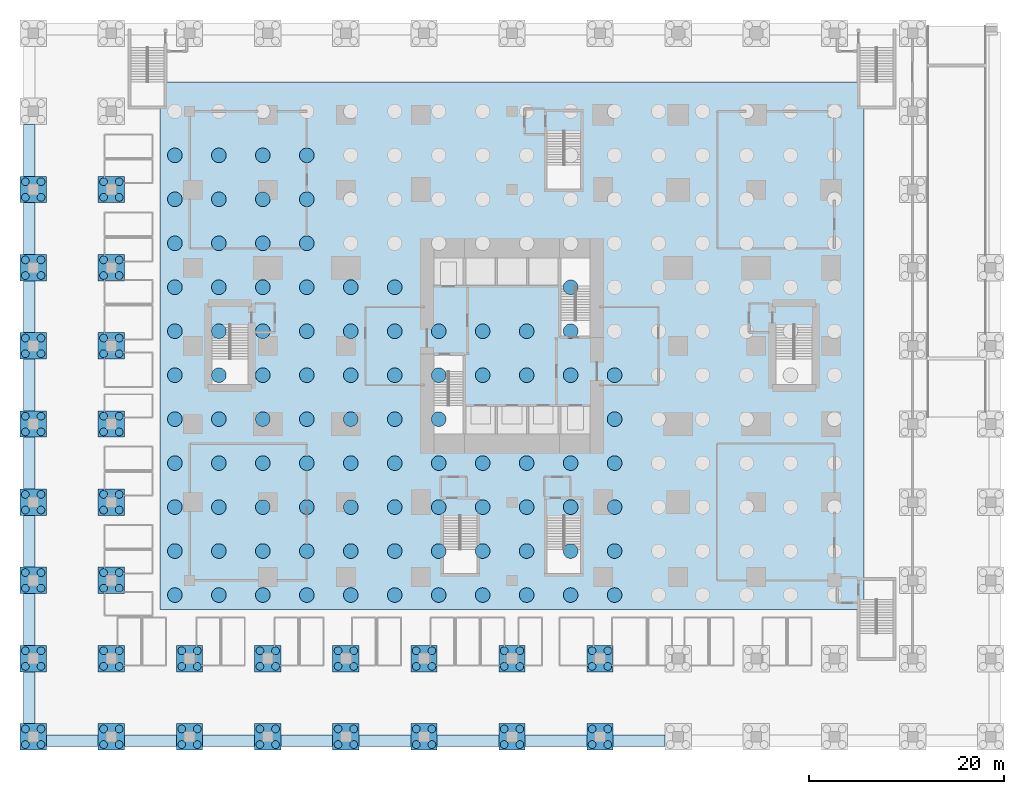
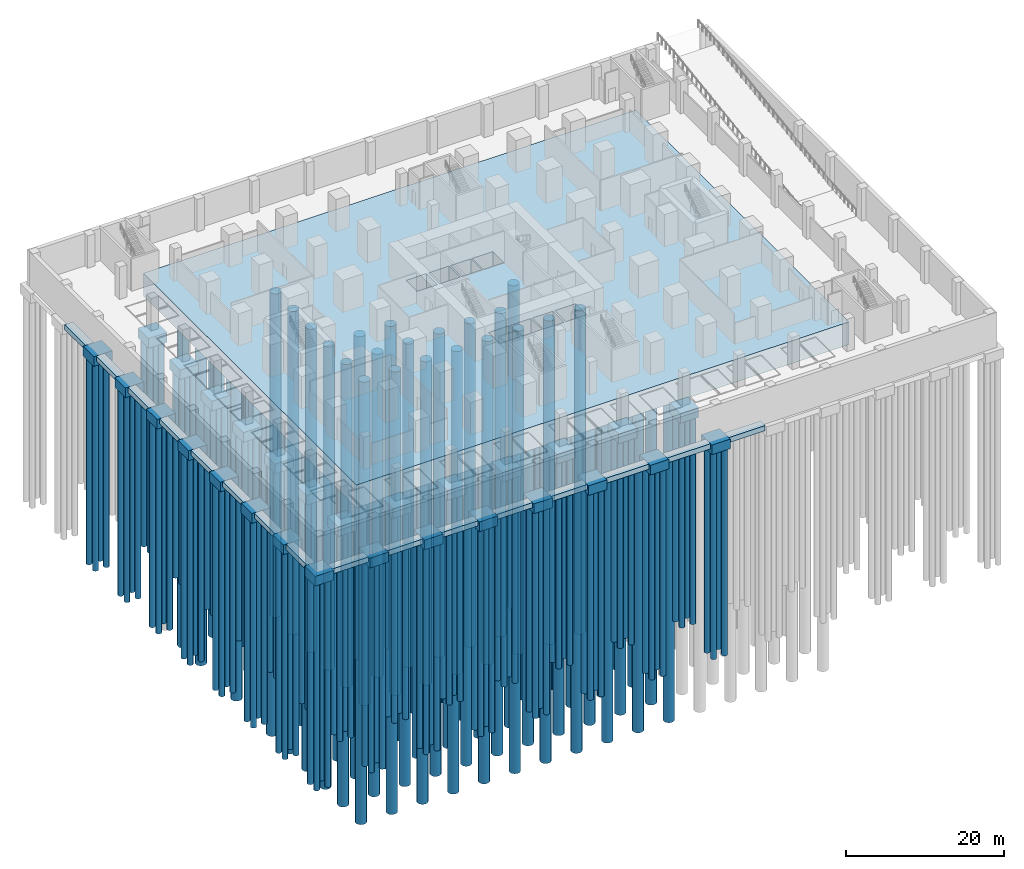
# One storey, part 1 of 17: 204 piles, 45 footings.
"""IFC4 building model written with IfcOpenShell, lengths in metres."""

import ifcopenshell
import ifcopenshell.guid

model = None  # the IFC model being written
_history = None  # IfcOwnerHistory: only IFC2X3 demands one
_inside = {}  # id of a spatial element -> (the spatial element, [elements in it])
_under = {}  # id of a project, library or spatial element -> (it, [spatial elements below it])
_declared = {}  # id of a project -> (the project, [libraries it declares])
_typed = {}  # id of a type object -> (the type object, [elements of that type])
_made_of = {}  # id of a material, layer set ... -> (it, [elements and type objects made of it])


def new_model(schema):
    """Start an empty IFC model of exactly this schema.

    Asked for "IFC4X3", IfcOpenShell would pick the latest addendum, in which some entities
    have other attributes; the version numbers below select the first issue.
    IFC2X3 requires an IfcOwnerHistory on every rooted entity: one is made here for all.
    """
    global model, _history
    if schema == "IFC4X3":
        model = ifcopenshell.file(schema_version=(4, 3, 0, 0))
    else:
        model = ifcopenshell.file(schema=schema)
    _inside.clear()
    _under.clear()
    _declared.clear()
    _typed.clear()
    _made_of.clear()
    _history = None
    if model.schema == "IFC2X3":
        org = make("IfcOrganization", Name="unknown")
        user = make(
            "IfcPersonAndOrganization",
            ThePerson=make("IfcPerson", FamilyName="unknown"),
            TheOrganization=org,
        )
        app = make(
            "IfcApplication",
            ApplicationDeveloper=org,
            Version="unknown",
            ApplicationFullName="unknown",
            ApplicationIdentifier="unknown",
        )
        _history = make(
            "IfcOwnerHistory",
            OwningUser=user,
            OwningApplication=app,
            ChangeAction="ADDED",
            CreationDate=0,
        )
    return model


def make(cls, **values):
    """One entity of the class cls with the attributes given. An attribute that is None is left unset."""
    return model.create_entity(
        cls, **{name: value for name, value in values.items() if value is not None}
    )


def rooted(cls, **values):
    """An entity with a GlobalId (a new one), such as an element, a storey or a relation."""
    return make(cls, GlobalId=ifcopenshell.guid.new(), OwnerHistory=_history, **values)


def si_unit(unit_type, name, prefix=None):
    """IfcSIUnit, for example si_unit("LENGTHUNIT", "METRE", prefix="MILLI")."""
    return make("IfcSIUnit", UnitType=unit_type, Prefix=prefix, Name=name)


def assignment(units):
    """IfcUnitAssignment: the units of a project."""
    return None if units is None else make("IfcUnitAssignment", Units=units)


def point(xyz):
    """IfcCartesianPoint."""
    return None if xyz is None else make("IfcCartesianPoint", Coordinates=xyz)


def direction(xyz):
    """IfcDirection."""
    return None if xyz is None else make("IfcDirection", DirectionRatios=xyz)


def frame(location, z_axis=None, x_axis=None):
    """IfcAxis2Placement3D, a coordinate frame: its origin and axes. An axis left out is left unset."""
    return make(
        "IfcAxis2Placement3D",
        Location=point(location),
        Axis=direction(z_axis),
        RefDirection=direction(x_axis),
    )


def frame_2d(location, x_axis=None):
    """IfcAxis2Placement2D, a coordinate frame in the plane: its origin and x axis."""
    return make(
        "IfcAxis2Placement2D", Location=point(location), RefDirection=direction(x_axis)
    )


def origin():
    """The frame at (0, 0, 0) with its axes left unset."""
    return frame((0.0, 0.0, 0.0))


def origin_2d():
    """The frame at (0, 0) in the plane with its x axis left unset."""
    return frame_2d((0.0, 0.0))


def place(relative_to, where):
    """IfcLocalPlacement: puts the frame where relative to a parent placement (None: the world)."""
    return make(
        "IfcLocalPlacement", PlacementRelTo=relative_to, RelativePlacement=where
    )


def context(
    kind, dimensions, precision=None, world=None, true_north=None, identifier=None
):
    """IfcGeometricRepresentationContext, for example the 3D "Model" context."""
    return make(
        "IfcGeometricRepresentationContext",
        ContextIdentifier=identifier,
        ContextType=kind,
        CoordinateSpaceDimension=dimensions,
        Precision=precision,
        WorldCoordinateSystem=world,
        TrueNorth=true_north,
    )


def subcontext(parent, identifier, kind, view, scale=None):
    """IfcGeometricRepresentationSubContext, for example "Body" below "Model"."""
    return make(
        "IfcGeometricRepresentationSubContext",
        ContextIdentifier=identifier,
        ContextType=kind,
        ParentContext=parent,
        TargetScale=scale,
        TargetView=view,
    )


def project(units=None, contexts=None):
    """IfcProject with its units and contexts."""
    return rooted(
        "IfcProject",
        Name="project",
        RepresentationContexts=contexts,
        UnitsInContext=assignment(units),
    )


def spatial(cls, under=None, at=None, **own):
    """A site, building, storey or space (cls), placed at a placement, below another one or the project."""
    s = rooted(cls, ObjectPlacement=at, **own)
    if under is not None:
        _under.setdefault(under.id(), (under, []))[1].append(s)
    return s


def polyline(points):
    """IfcPolyline through the points."""
    return make("IfcPolyline", Points=[point(p) for p in points])


def profile(cls, at=None, kind="AREA", **sizes):
    """A parametric profile (cls). Its sizes go by their IFC names, for example OverallWidth=200.0."""
    return make(cls, ProfileType=kind, Position=at, **sizes)


def rectangle(**sizes):
    """IfcRectangleProfileDef."""
    return profile("IfcRectangleProfileDef", **sizes)


def circle(**sizes):
    """IfcCircleProfileDef."""
    return profile("IfcCircleProfileDef", **sizes)


def outline(outer, holes=None, kind="AREA"):
    """IfcArbitraryClosedProfileDef: a profile drawn as a closed curve; with holes, ...WithVoids."""
    if holes is None:
        return make("IfcArbitraryClosedProfileDef", ProfileType=kind, OuterCurve=outer)
    return make(
        "IfcArbitraryProfileDefWithVoids",
        ProfileType=kind,
        OuterCurve=outer,
        InnerCurves=holes,
    )


def extrude(swept, where, along, depth):
    """IfcExtrudedAreaSolid: the profile swept, set in the frame where, extruded along a direction by depth."""
    return make(
        "IfcExtrudedAreaSolid",
        SweptArea=swept,
        Position=where,
        ExtrudedDirection=direction(along),
        Depth=depth,
    )


def shape(context_of_items, identifier, shape_type, items):
    """IfcShapeRepresentation: the items that make up one representation, for example the "Body"."""
    return make(
        "IfcShapeRepresentation",
        ContextOfItems=context_of_items,
        RepresentationIdentifier=identifier,
        RepresentationType=shape_type,
        Items=items,
    )


def material(Name=None, Category=None):
    """IfcMaterial."""
    return make("IfcMaterial", Name=Name, Category=Category)


def layer(
    of_material, thickness, ventilated=None, Name=None, Category=None, Priority=None
):
    """IfcMaterialLayer: one layer of a wall or slab, of a material (None: an air gap)."""
    return make(
        "IfcMaterialLayer",
        Material=of_material,
        LayerThickness=thickness,
        IsVentilated=ventilated,
        Name=Name,
        Category=Category,
        Priority=Priority,
    )


def layer_set(layers, Name=None):
    """IfcMaterialLayerSet."""
    return make("IfcMaterialLayerSet", MaterialLayers=layers, LayerSetName=Name)


def material_profile(
    of_material, cross_section, Name=None, Category=None, Priority=None
):
    """IfcMaterialProfile: a cross section and its material."""
    return make(
        "IfcMaterialProfile",
        Name=Name,
        Material=of_material,
        Profile=cross_section,
        Priority=Priority,
        Category=Category,
    )


def profile_set(profiles, Name=None, composite=None):
    """IfcMaterialProfileSet."""
    return make(
        "IfcMaterialProfileSet",
        Name=Name,
        MaterialProfiles=profiles,
        CompositeProfile=composite,
    )


def made_of(thing, what):
    """Note that an element or type object is made of a material, layer set ...; save() writes the relation."""
    if what is not None:
        _made_of.setdefault(what.id(), (what, []))[1].append(thing)
    return thing


def type_object(cls, material=None, **own):
    """A type object (cls), such as IfcWallType, which elements share."""
    return made_of(rooted(cls, **own), material)


def element(
    cls,
    number,
    at=None,
    inside=None,
    cuts=None,
    type_object=None,
    material=None,
    context=None,
    identifier="Body",
    shape_type=None,
    held_by="IfcProductDefinitionShape",
    body=None,
    shapes=None,
    **own,
):
    """One element of the class cls, such as IfcWall. Its Tag is "e" and its number.

    at: its placement. inside: the storey or other place that contains it. cuts: it is an
    opening in that element (IfcRelVoidsElement). A single representation is given by context,
    identifier, shape_type and body (its items); several are given by shapes. held_by: the class
    of the entity that holds the representations. save() writes the other relations.
    """
    e = rooted(cls, Tag="e%d" % number, ObjectPlacement=at, **own)
    if body is not None:
        shapes = [shape(context, identifier, shape_type, body)]
    if shapes is not None:
        e.Representation = make(held_by, Representations=shapes)
    if inside is not None:
        _inside.setdefault(inside.id(), (inside, []))[1].append(e)
    if cuts is not None:
        rooted(
            "IfcRelVoidsElement", RelatingBuildingElement=cuts, RelatedOpeningElement=e
        )
    if type_object is not None:
        _typed.setdefault(type_object.id(), (type_object, []))[1].append(e)
    return made_of(e, material)


def aggregate(whole, parts):
    """IfcRelAggregates: a whole, such as a stair, and the parts it consists of."""
    return rooted("IfcRelAggregates", RelatingObject=whole, RelatedObjects=parts)


def save(model, path):
    """Write the relations noted so far, then the file.

    IfcRelAggregates (storeys below a building ...), IfcRelContainedInSpatialStructure (elements
    in a storey), IfcRelDefinesByType, IfcRelAssociatesMaterial and IfcRelDeclares: one each for
    every whole, place, type object, material and project.
    """
    for whole, parts in _under.values():
        aggregate(whole, parts)
    for where, things in _inside.values():
        rooted(
            "IfcRelContainedInSpatialStructure",
            RelatedElements=things,
            RelatingStructure=where,
        )
    for kind, things in _typed.values():
        rooted("IfcRelDefinesByType", RelatedObjects=things, RelatingType=kind)
    for what, things in _made_of.values():
        rooted("IfcRelAssociatesMaterial", RelatedObjects=things, RelatingMaterial=what)
    for by, libraries in _declared.values():
        rooted("IfcRelDeclares", RelatingContext=by, RelatedDefinitions=libraries)
    model.write(path)


model = new_model("IFC4")

# Units and contexts
model_context = context("Model", 3, precision=1e-05, world=origin(), true_north=direction((0.0, 1.0)))
body_context = subcontext(model_context, "Body", "Model", "MODEL_VIEW")
ifc_project = project(units=[si_unit("LENGTHUNIT", "METRE"), si_unit("AREAUNIT", "SQUARE_METRE"), si_unit("VOLUMEUNIT", "CUBIC_METRE"), si_unit("PLANEANGLEUNIT", "RADIAN"), si_unit("MASSUNIT", "GRAM", prefix="KILO")], contexts=[model_context])

# Site, building, storey
site_placement = place(None, origin())
site = spatial("IfcSite", under=ifc_project, at=site_placement, CompositionType="ELEMENT")
building_placement = place(site_placement, origin())
building = spatial("IfcBuilding", under=site, at=building_placement, Name="Cleftline Residences", CompositionType="ELEMENT")
storey_placement = place(building_placement, frame((0.0, 0.0, -5.0)))
storey = spatial("IfcBuildingStorey", under=building, at=storey_placement, Name="L-01", CompositionType="ELEMENT", Elevation=-5.0)

# Piles
ifc_material_1 = material(Name="Concrete B40", Category="concrete")
ifc_material_profile_1 = material_profile(ifc_material_1, circle(Radius=0.75, at=origin_2d()))
ifc_profile_set_1 = profile_set([ifc_material_profile_1], Name="Concrete B40")
pile_type_1 = type_object("IfcPileType", Name="BORED PILE 1500", PredefinedType="BORED", material=ifc_profile_set_1)
for number, where, z_axis, x_axis, name in (
    (1, (-1.5, -1.5, -3.39990234375), (0.0, 0.0, -1.0), (1.0, 0.0, 0.0), "Raft pile"),
    (2, (3.0, -1.5, -3.39990234375), (0.0, 0.0, -1.0), (1.0, 0.0, 0.0), "Raft pile"),
    (3, (7.5, -1.5, -3.39990234375), (0.0, 0.0, -1.0), (1.0, 0.0, 0.0), "Raft pile"),
    (4, (12.0, -1.5, -3.39990234375), (0.0, 0.0, -1.0), (1.0, 0.0, 0.0), "Raft pile"),
    (5, (16.5, -1.5, -3.39990234375), (0.0, 0.0, -1.0), (1.0, 0.0, 0.0), "Raft pile"),
    (6, (21.0, -1.5, -3.39990234375), (0.0, 0.0, -1.0), (1.0, 0.0, 0.0), "Raft pile"),
    (7, (25.5, -1.5, -3.39990234375), (0.0, 0.0, -1.0), (1.0, 0.0, 0.0), "Raft pile"),
    (8, (30.0, -1.5, -3.39990234375), (0.0, 0.0, -1.0), (1.0, 0.0, 0.0), "Raft pile"),
    (9, (34.5, -1.5, -3.39990234375), (0.0, 0.0, -1.0), (1.0, 0.0, 0.0), "Raft pile"),
    (10, (39.0, -1.5, -3.39990234375), (0.0, 0.0, -1.0), (1.0, 0.0, 0.0), "Raft pile"),
    (11, (43.5, -1.5, -3.39990234375), (0.0, 0.0, -1.0), (1.0, 0.0, 0.0), "Raft pile"),
    (12, (-1.5, 3.0, -3.39990234375), (0.0, 0.0, -1.0), (1.0, 0.0, 0.0), "Raft pile"),
    (13, (3.0, 3.0, -3.39990234375), (0.0, 0.0, -1.0), (1.0, 0.0, 0.0), "Raft pile"),
    (14, (7.5, 3.0, -3.39990234375), (0.0, 0.0, -1.0), (1.0, 0.0, 0.0), "Raft pile"),
    (15, (12.0, 3.0, -3.39990234375), (0.0, 0.0, -1.0), (1.0, 0.0, 0.0), "Raft pile"),
    (16, (16.5, 3.0, -3.39990234375), (0.0, 0.0, -1.0), (1.0, 0.0, 0.0), "Raft pile"),
    (17, (21.0, 3.0, -3.39990234375), (0.0, 0.0, -1.0), (1.0, 0.0, 0.0), "Raft pile"),
    (18, (25.5, 3.0, -3.39990234375), (0.0, 0.0, -1.0), (1.0, 0.0, 0.0), "Raft pile"),
    (19, (30.0, 3.0, -3.39990234375), (0.0, 0.0, -1.0), (1.0, 0.0, 0.0), "Raft pile"),
    (20, (34.5, 3.0, -3.39990234375), (0.0, 0.0, -1.0), (1.0, 0.0, 0.0), "Raft pile"),
    (21, (39.0, 3.0, -3.39990234375), (0.0, 0.0, -1.0), (1.0, 0.0, 0.0), "Raft pile"),
    (22, (43.5, 3.0, -3.39990234375), (0.0, 0.0, -1.0), (1.0, 0.0, 0.0), "Raft pile"),
    (23, (-1.5, 7.5, -3.39990234375), (0.0, 0.0, -1.0), (1.0, 0.0, 0.0), "Raft pile"),
    (24, (3.0, 7.5, -3.39990234375), (0.0, 0.0, -1.0), (1.0, 0.0, 0.0), "Raft pile"),
    (25, (7.5, 7.5, -3.39990234375), (0.0, 0.0, -1.0), (1.0, 0.0, 0.0), "Raft pile"),
    (26, (12.0, 7.5, -3.39990234375), (0.0, 0.0, -1.0), (1.0, 0.0, 0.0), "Raft pile"),
    (27, (16.5, 7.5, -3.39990234375), (0.0, 0.0, -1.0), (1.0, 0.0, 0.0), "Raft pile"),
    (28, (21.0, 7.5, -3.39990234375), (0.0, 0.0, -1.0), (1.0, 0.0, 0.0), "Raft pile"),
    (29, (25.5, 7.5, -3.39990234375), (0.0, 0.0, -1.0), (1.0, 0.0, 0.0), "Raft pile"),
    (30, (30.0, 7.5, -3.39990234375), (0.0, 0.0, -1.0), (1.0, 0.0, 0.0), "Raft pile"),
    (31, (34.5, 7.5, -3.39990234375), (0.0, 0.0, -1.0), (1.0, 0.0, 0.0), "Raft pile"),
    (32, (39.0, 7.5, -3.39990234375), (0.0, 0.0, -1.0), (1.0, 0.0, 0.0), "Raft pile"),
    (33, (43.5, 7.5, -3.39990234375), (0.0, 0.0, -1.0), (1.0, 0.0, 0.0), "Raft pile"),
    (34, (-1.5, 12.0, -3.39990234375), (0.0, 0.0, -1.0), (1.0, 0.0, 0.0), "Raft pile"),
    (35, (3.0, 12.0, -3.39990234375), (0.0, 0.0, -1.0), (1.0, 0.0, 0.0), "Raft pile"),
    (36, (7.5, 12.0, -3.39990234375), (0.0, 0.0, -1.0), (1.0, 0.0, 0.0), "Raft pile"),
    (37, (12.0, 12.0, -3.39990234375), (0.0, 0.0, -1.0), (1.0, 0.0, 0.0), "Raft pile"),
    (38, (16.5, 12.0, -3.39990234375), (0.0, 0.0, -1.0), (1.0, 0.0, 0.0), "Raft pile"),
    (39, (21.0, 12.0, -3.39990234375), (0.0, 0.0, -1.0), (1.0, 0.0, 0.0), "Raft pile"),
    (40, (25.5, 12.0, -3.39990234375), (0.0, 0.0, -1.0), (1.0, 0.0, 0.0), "Raft pile"),
    (41, (30.0, 12.0, -3.39990234375), (0.0, 0.0, -1.0), (1.0, 0.0, 0.0), "Raft pile"),
    (42, (34.5, 12.0, -3.39990234375), (0.0, 0.0, -1.0), (1.0, 0.0, 0.0), "Raft pile"),
    (43, (39.0, 12.0, -3.39990234375), (0.0, 0.0, -1.0), (1.0, 0.0, 0.0), "Raft pile"),
    (44, (43.5, 12.0, -3.39990234375), (0.0, 0.0, -1.0), (1.0, 0.0, 0.0), "Raft pile"),
    (45, (-1.5, 16.5, -3.39990234375), (0.0, 0.0, -1.0), (1.0, 0.0, 0.0), "Raft pile"),
    (46, (3.0, 16.5, -3.39990234375), (0.0, 0.0, -1.0), (1.0, 0.0, 0.0), "Raft pile"),
    (47, (7.5, 16.5, -3.39990234375), (0.0, 0.0, -1.0), (1.0, 0.0, 0.0), "Raft pile"),
    (48, (12.0, 16.5, -3.39990234375), (0.0, 0.0, -1.0), (1.0, 0.0, 0.0), "Raft pile"),
    (49, (16.5, 16.5, -3.39990234375), (0.0, 0.0, -1.0), (1.0, 0.0, 0.0), "Raft pile"),
    (50, (21.0, 16.5, -3.39990234375), (0.0, 0.0, -1.0), (1.0, 0.0, 0.0), "Raft pile"),
    (51, (25.5, 16.5, -3.39990234375), (0.0, 0.0, -1.0), (1.0, 0.0, 0.0), "Raft pile"),
    (52, (43.5, 16.5, -3.39990234375), (0.0, 0.0, -1.0), (1.0, 0.0, 0.0), "Raft pile"),
    (53, (-1.5, 21.0, -3.39990234375), (0.0, 0.0, -1.0), (1.0, 0.0, 0.0), "Raft pile"),
    (54, (3.0, 21.0, -3.39990234375), (0.0, 0.0, -1.0), (1.0, 0.0, 0.0), "Raft pile"),
    (55, (7.5, 21.0, -3.39990234375), (0.0, 0.0, -1.0), (1.0, 0.0, 0.0), "Raft pile"),
    (56, (12.0, 21.0, -3.39990234375), (0.0, 0.0, -1.0), (1.0, 0.0, 0.0), "Raft pile"),
    (57, (16.5, 21.0, -3.39990234375), (0.0, 0.0, -1.0), (1.0, 0.0, 0.0), "Raft pile"),
    (58, (21.0, 21.0, -3.39990234375), (0.0, 0.0, -1.0), (1.0, 0.0, 0.0), "Raft pile"),
    (59, (25.5, 21.0, -3.39990234375), (0.0, 0.0, -1.0), (1.0, 0.0, 0.0), "Raft pile"),
    (60, (30.0, 21.0, -3.39990234375), (0.0, 0.0, -1.0), (1.0, 0.0, 0.0), "Raft pile"),
    (61, (34.5, 21.0, -3.39990234375), (0.0, 0.0, -1.0), (1.0, 0.0, 0.0), "Raft pile"),
    (62, (39.0, 21.0, -3.39990234375), (0.0, 0.0, -1.0), (1.0, 0.0, 0.0), "Raft pile"),
    (63, (43.5, 21.0, -3.39990234375), (0.0, 0.0, -1.0), (1.0, 0.0, 0.0), "Raft pile"),
    (64, (-1.5, 25.5, -3.39990234375), (0.0, 0.0, -1.0), (1.0, 0.0, 0.0), "Raft pile"),
    (65, (3.0, 25.5, -3.39990234375), (0.0, 0.0, -1.0), (1.0, 0.0, 0.0), "Raft pile"),
    (66, (7.5, 25.5, -3.39990234375), (0.0, 0.0, -1.0), (1.0, 0.0, 0.0), "Raft pile"),
    (67, (12.0, 25.5, -3.39990234375), (0.0, 0.0, -1.0), (1.0, 0.0, 0.0), "Raft pile"),
    (68, (16.5, 25.5, -3.39990234375), (0.0, 0.0, -1.0), (1.0, 0.0, 0.0), "Raft pile"),
    (69, (21.0, 25.5, -3.39990234375), (0.0, 0.0, -1.0), (1.0, 0.0, 0.0), "Raft pile"),
    (70, (25.5, 25.5, -3.39990234375), (0.0, 0.0, -1.0), (1.0, 0.0, 0.0), "Raft pile"),
    (71, (30.0, 25.5, -3.39990234375), (0.0, 0.0, -1.0), (1.0, 0.0, 0.0), "Raft pile"),
    (72, (34.5, 25.5, -3.39990234375), (0.0, 0.0, -1.0), (1.0, 0.0, 0.0), "Raft pile"),
    (73, (39.0, 25.5, -3.39990234375), (0.0, 0.0, -1.0), (1.0, 0.0, 0.0), "Raft pile"),
    (74, (-1.5, 30.0, -3.39990234375), (0.0, 0.0, -1.0), (1.0, 0.0, 0.0), "Raft pile"),
    (75, (3.0, 30.0, -3.39990234375), (0.0, 0.0, -1.0), (1.0, 0.0, 0.0), "Raft pile"),
    (76, (7.5, 30.0, -3.39990234375), (0.0, 0.0, -1.0), (1.0, 0.0, 0.0), "Raft pile"),
    (77, (12.0, 30.0, -3.39990234375), (0.0, 0.0, -1.0), (1.0, 0.0, 0.0), "Raft pile"),
    (78, (16.5, 30.0, -3.39990234375), (0.0, 0.0, -1.0), (1.0, 0.0, 0.0), "Raft pile"),
    (79, (21.0, 30.0, -3.39990234375), (0.0, 0.0, -1.0), (1.0, 0.0, 0.0), "Raft pile"),
    (80, (39.0, 30.0, -3.39990234375), (0.0, 0.0, -1.0), (1.0, 0.0, 0.0), "Raft pile"),
    (81, (-1.5, 34.5, -3.39990234375), (0.0, 0.0, -1.0), (1.0, 0.0, 0.0), "Raft pile"),
    (82, (3.0, 34.5, -3.39990234375), (0.0, 0.0, -1.0), (1.0, 0.0, 0.0), "Raft pile"),
    (83, (7.5, 34.5, -3.39990234375), (0.0, 0.0, -1.0), (1.0, 0.0, 0.0), "Raft pile"),
    (84, (12.0, 34.5, -3.39990234375), (0.0, 0.0, -1.0), (1.0, 0.0, 0.0), "Raft pile"),
    (85, (-1.5, 39.0, -3.39990234375), (0.0, 0.0, -1.0), (1.0, 0.0, 0.0), "Raft pile"),
    (86, (3.0, 39.0, -3.39990234375), (0.0, 0.0, -1.0), (1.0, 0.0, 0.0), "Raft pile"),
    (87, (7.5, 39.0, -3.39990234375), (0.0, 0.0, -1.0), (1.0, 0.0, 0.0), "Raft pile"),
    (88, (12.0, 39.0, -3.39990234375), (0.0, 0.0, -1.0), (1.0, 0.0, 0.0), "Raft pile"),
    (89, (-1.5, 43.5, -3.39990234375), (0.0, 0.0, -1.0), (1.0, 0.0, 0.0), "Raft pile"),
    (90, (3.0, 43.5, -3.39990234375), (0.0, 0.0, -1.0), (1.0, 0.0, 0.0), "Raft pile"),
    (91, (7.5, 43.5, -3.39990234375), (0.0, 0.0, -1.0), (1.0, 0.0, 0.0), "Raft pile"),
    (92, (12.0, 43.5, -3.39990234375), (0.0, 0.0, -1.0), (1.0, 0.0, 0.0), "Raft pile"),
):
    element("IfcPile", number, at=place(storey_placement, frame(where, z_axis=z_axis, x_axis=x_axis)), inside=storey, type_object=pile_type_1, Name=name, PredefinedType="BORED", context=body_context, shape_type="SweptSolid", body=[
        extrude(circle(Radius=0.75, at=origin_2d()), origin(), (0.0, 0.0, 1.0), 50.0),
    ])
ifc_material_2 = material(Name="Concrete B40", Category="concrete")
ifc_material_profile_2 = material_profile(ifc_material_2, circle(Radius=0.39990234375, at=origin_2d()))
ifc_profile_set_2 = profile_set([ifc_material_profile_2], Name="Concrete B40")
pile_type_2 = type_object("IfcPileType", Name="BORED PILE 800", PredefinedType="BORED", material=ifc_profile_set_2)
for number, where, z_axis, x_axis, name in (
    (93, (-16.800048828125, -16.800048828125, -1.800048828125), (0.0, 0.0, -1.0), (1.0, 0.0, 0.0), "Cap pile"),
    (94, (-15.199951171875, -16.800048828125, -1.800048828125), (0.0, 0.0, -1.0), (1.0, 0.0, 0.0), "Cap pile"),
    (95, (-16.800048828125, -15.199951171875, -1.800048828125), (0.0, 0.0, -1.0), (1.0, 0.0, 0.0), "Cap pile"),
    (96, (-15.199951171875, -15.199951171875, -1.800048828125), (0.0, 0.0, -1.0), (1.0, 0.0, 0.0), "Cap pile"),
    (97, (-16.800048828125, -8.800048828125, -1.800048828125), (0.0, 0.0, -1.0), (1.0, 0.0, 0.0), "Cap pile"),
    (98, (-15.199951171875, -8.800048828125, -1.800048828125), (0.0, 0.0, -1.0), (1.0, 0.0, 0.0), "Cap pile"),
    (99, (-16.800048828125, -7.199951171875, -1.800048828125), (0.0, 0.0, -1.0), (1.0, 0.0, 0.0), "Cap pile"),
    (100, (-15.199951171875, -7.199951171875, -1.800048828125), (0.0, 0.0, -1.0), (1.0, 0.0, 0.0), "Cap pile"),
    (101, (-16.800048828125, -0.800048828125, -1.800048828125), (0.0, 0.0, -1.0), (1.0, 0.0, 0.0), "Cap pile"),
    (102, (-15.199951171875, -0.800048828125, -1.800048828125), (0.0, 0.0, -1.0), (1.0, 0.0, 0.0), "Cap pile"),
    (103, (-16.800048828125, 0.800048828125, -1.800048828125), (0.0, 0.0, -1.0), (1.0, 0.0, 0.0), "Cap pile"),
    (104, (-15.199951171875, 0.800048828125, -1.800048828125), (0.0, 0.0, -1.0), (1.0, 0.0, 0.0), "Cap pile"),
    (105, (-16.800048828125, 7.199951171875, -1.800048828125), (0.0, 0.0, -1.0), (1.0, 0.0, 0.0), "Cap pile"),
    (106, (-15.199951171875, 7.199951171875, -1.800048828125), (0.0, 0.0, -1.0), (1.0, 0.0, 0.0), "Cap pile"),
    (107, (-16.800048828125, 8.800048828125, -1.800048828125), (0.0, 0.0, -1.0), (1.0, 0.0, 0.0), "Cap pile"),
    (108, (-15.199951171875, 8.800048828125, -1.800048828125), (0.0, 0.0, -1.0), (1.0, 0.0, 0.0), "Cap pile"),
    (109, (-16.800048828125, 15.199951171875, -1.800048828125), (0.0, 0.0, -1.0), (1.0, 0.0, 0.0), "Cap pile"),
    (110, (-15.199951171875, 15.199951171875, -1.800048828125), (0.0, 0.0, -1.0), (1.0, 0.0, 0.0), "Cap pile"),
    (111, (-16.800048828125, 16.800048828125, -1.800048828125), (0.0, 0.0, -1.0), (1.0, 0.0, 0.0), "Cap pile"),
    (112, (-15.199951171875, 16.800048828125, -1.800048828125), (0.0, 0.0, -1.0), (1.0, 0.0, 0.0), "Cap pile"),
    (113, (-16.800048828125, 23.199951171875, -1.800048828125), (0.0, 0.0, -1.0), (1.0, 0.0, 0.0), "Cap pile"),
    (114, (-15.199951171875, 23.199951171875, -1.800048828125), (0.0, 0.0, -1.0), (1.0, 0.0, 0.0), "Cap pile"),
    (115, (-16.800048828125, 24.800048828125, -1.800048828125), (0.0, 0.0, -1.0), (1.0, 0.0, 0.0), "Cap pile"),
    (116, (-15.199951171875, 24.800048828125, -1.800048828125), (0.0, 0.0, -1.0), (1.0, 0.0, 0.0), "Cap pile"),
    (117, (-16.800048828125, 31.199951171875, -1.800048828125), (0.0, 0.0, -1.0), (1.0, 0.0, 0.0), "Cap pile"),
    (118, (-15.199951171875, 31.199951171875, -1.800048828125), (0.0, 0.0, -1.0), (1.0, 0.0, 0.0), "Cap pile"),
    (119, (-16.800048828125, 32.800048828125, -1.800048828125), (0.0, 0.0, -1.0), (1.0, 0.0, 0.0), "Cap pile"),
    (120, (-15.199951171875, 32.800048828125, -1.800048828125), (0.0, 0.0, -1.0), (1.0, 0.0, 0.0), "Cap pile"),
    (121, (-16.800048828125, 39.199951171875, -1.800048828125), (0.0, 0.0, -1.0), (1.0, 0.0, 0.0), "Cap pile"),
    (122, (-15.199951171875, 39.199951171875, -1.800048828125), (0.0, 0.0, -1.0), (1.0, 0.0, 0.0), "Cap pile"),
    (123, (-16.800048828125, 40.800048828125, -1.800048828125), (0.0, 0.0, -1.0), (1.0, 0.0, 0.0), "Cap pile"),
    (124, (-15.199951171875, 40.800048828125, -1.800048828125), (0.0, 0.0, -1.0), (1.0, 0.0, 0.0), "Cap pile"),
    (125, (-8.800048828125, -16.800048828125, -1.800048828125), (0.0, 0.0, -1.0), (1.0, 0.0, 0.0), "Cap pile"),
    (126, (-7.199951171875, -16.800048828125, -1.800048828125), (0.0, 0.0, -1.0), (1.0, 0.0, 0.0), "Cap pile"),
    (127, (-8.800048828125, -15.199951171875, -1.800048828125), (0.0, 0.0, -1.0), (1.0, 0.0, 0.0), "Cap pile"),
    (128, (-7.199951171875, -15.199951171875, -1.800048828125), (0.0, 0.0, -1.0), (1.0, 0.0, 0.0), "Cap pile"),
    (129, (-8.800048828125, -8.800048828125, -1.800048828125), (0.0, 0.0, -1.0), (1.0, 0.0, 0.0), "Cap pile"),
    (130, (-7.199951171875, -8.800048828125, -1.800048828125), (0.0, 0.0, -1.0), (1.0, 0.0, 0.0), "Cap pile"),
    (131, (-8.800048828125, -7.199951171875, -1.800048828125), (0.0, 0.0, -1.0), (1.0, 0.0, 0.0), "Cap pile"),
    (132, (-7.199951171875, -7.199951171875, -1.800048828125), (0.0, 0.0, -1.0), (1.0, 0.0, 0.0), "Cap pile"),
    (133, (-8.800048828125, -0.800048828125, -1.800048828125), (0.0, 0.0, -1.0), (1.0, 0.0, 0.0), "Cap pile"),
    (134, (-7.199951171875, -0.800048828125, -1.800048828125), (0.0, 0.0, -1.0), (1.0, 0.0, 0.0), "Cap pile"),
    (135, (-8.800048828125, 0.800048828125, -1.800048828125), (0.0, 0.0, -1.0), (1.0, 0.0, 0.0), "Cap pile"),
    (136, (-7.199951171875, 0.800048828125, -1.800048828125), (0.0, 0.0, -1.0), (1.0, 0.0, 0.0), "Cap pile"),
    (137, (-8.800048828125, 7.199951171875, -1.800048828125), (0.0, 0.0, -1.0), (1.0, 0.0, 0.0), "Cap pile"),
    (138, (-7.199951171875, 7.199951171875, -1.800048828125), (0.0, 0.0, -1.0), (1.0, 0.0, 0.0), "Cap pile"),
    (139, (-8.800048828125, 8.800048828125, -1.800048828125), (0.0, 0.0, -1.0), (1.0, 0.0, 0.0), "Cap pile"),
    (140, (-7.199951171875, 8.800048828125, -1.800048828125), (0.0, 0.0, -1.0), (1.0, 0.0, 0.0), "Cap pile"),
    (141, (-8.800048828125, 15.199951171875, -1.800048828125), (0.0, 0.0, -1.0), (1.0, 0.0, 0.0), "Cap pile"),
    (142, (-7.199951171875, 15.199951171875, -1.800048828125), (0.0, 0.0, -1.0), (1.0, 0.0, 0.0), "Cap pile"),
    (143, (-8.800048828125, 16.800048828125, -1.800048828125), (0.0, 0.0, -1.0), (1.0, 0.0, 0.0), "Cap pile"),
    (144, (-7.199951171875, 16.800048828125, -1.800048828125), (0.0, 0.0, -1.0), (1.0, 0.0, 0.0), "Cap pile"),
    (145, (-8.800048828125, 23.199951171875, -1.800048828125), (0.0, 0.0, -1.0), (1.0, 0.0, 0.0), "Cap pile"),
    (146, (-7.199951171875, 23.199951171875, -1.800048828125), (0.0, 0.0, -1.0), (1.0, 0.0, 0.0), "Cap pile"),
    (147, (-8.800048828125, 24.800048828125, -1.800048828125), (0.0, 0.0, -1.0), (1.0, 0.0, 0.0), "Cap pile"),
    (148, (-7.199951171875, 24.800048828125, -1.800048828125), (0.0, 0.0, -1.0), (1.0, 0.0, 0.0), "Cap pile"),
    (149, (-8.800048828125, 31.199951171875, -1.800048828125), (0.0, 0.0, -1.0), (1.0, 0.0, 0.0), "Cap pile"),
    (150, (-7.199951171875, 31.199951171875, -1.800048828125), (0.0, 0.0, -1.0), (1.0, 0.0, 0.0), "Cap pile"),
    (151, (-8.800048828125, 32.800048828125, -1.800048828125), (0.0, 0.0, -1.0), (1.0, 0.0, 0.0), "Cap pile"),
    (152, (-7.199951171875, 32.800048828125, -1.800048828125), (0.0, 0.0, -1.0), (1.0, 0.0, 0.0), "Cap pile"),
    (153, (-8.800048828125, 39.199951171875, -1.800048828125), (0.0, 0.0, -1.0), (1.0, 0.0, 0.0), "Cap pile"),
    (154, (-7.199951171875, 39.199951171875, -1.800048828125), (0.0, 0.0, -1.0), (1.0, 0.0, 0.0), "Cap pile"),
    (155, (-8.800048828125, 40.800048828125, -1.800048828125), (0.0, 0.0, -1.0), (1.0, 0.0, 0.0), "Cap pile"),
    (156, (-7.199951171875, 40.800048828125, -1.800048828125), (0.0, 0.0, -1.0), (1.0, 0.0, 0.0), "Cap pile"),
    (157, (-0.800048828125, -16.800048828125, -1.800048828125), (0.0, 0.0, -1.0), (1.0, 0.0, 0.0), "Cap pile"),
    (158, (0.800048828125, -16.800048828125, -1.800048828125), (0.0, 0.0, -1.0), (1.0, 0.0, 0.0), "Cap pile"),
    (159, (-0.800048828125, -15.199951171875, -1.800048828125), (0.0, 0.0, -1.0), (1.0, 0.0, 0.0), "Cap pile"),
    (160, (0.800048828125, -15.199951171875, -1.800048828125), (0.0, 0.0, -1.0), (1.0, 0.0, 0.0), "Cap pile"),
    (161, (-0.800048828125, -8.800048828125, -1.800048828125), (0.0, 0.0, -1.0), (1.0, 0.0, 0.0), "Cap pile"),
    (162, (0.800048828125, -8.800048828125, -1.800048828125), (0.0, 0.0, -1.0), (1.0, 0.0, 0.0), "Cap pile"),
    (163, (-0.800048828125, -7.199951171875, -1.800048828125), (0.0, 0.0, -1.0), (1.0, 0.0, 0.0), "Cap pile"),
    (164, (0.800048828125, -7.199951171875, -1.800048828125), (0.0, 0.0, -1.0), (1.0, 0.0, 0.0), "Cap pile"),
    (165, (7.199951171875, -16.800048828125, -1.800048828125), (0.0, 0.0, -1.0), (1.0, 0.0, 0.0), "Cap pile"),
    (166, (8.800048828125, -16.800048828125, -1.800048828125), (0.0, 0.0, -1.0), (1.0, 0.0, 0.0), "Cap pile"),
    (167, (7.199951171875, -15.199951171875, -1.800048828125), (0.0, 0.0, -1.0), (1.0, 0.0, 0.0), "Cap pile"),
    (168, (8.800048828125, -15.199951171875, -1.800048828125), (0.0, 0.0, -1.0), (1.0, 0.0, 0.0), "Cap pile"),
    (169, (7.199951171875, -8.800048828125, -1.800048828125), (0.0, 0.0, -1.0), (1.0, 0.0, 0.0), "Cap pile"),
    (170, (8.800048828125, -8.800048828125, -1.800048828125), (0.0, 0.0, -1.0), (1.0, 0.0, 0.0), "Cap pile"),
    (171, (7.199951171875, -7.199951171875, -1.800048828125), (0.0, 0.0, -1.0), (1.0, 0.0, 0.0), "Cap pile"),
    (172, (8.800048828125, -7.199951171875, -1.800048828125), (0.0, 0.0, -1.0), (1.0, 0.0, 0.0), "Cap pile"),
    (173, (15.199951171875, -16.800048828125, -1.800048828125), (0.0, 0.0, -1.0), (1.0, 0.0, 0.0), "Cap pile"),
    (174, (16.800048828125, -16.800048828125, -1.800048828125), (0.0, 0.0, -1.0), (1.0, 0.0, 0.0), "Cap pile"),
    (175, (15.199951171875, -15.199951171875, -1.800048828125), (0.0, 0.0, -1.0), (1.0, 0.0, 0.0), "Cap pile"),
    (176, (16.800048828125, -15.199951171875, -1.800048828125), (0.0, 0.0, -1.0), (1.0, 0.0, 0.0), "Cap pile"),
    (177, (15.199951171875, -8.800048828125, -1.800048828125), (0.0, 0.0, -1.0), (1.0, 0.0, 0.0), "Cap pile"),
    (178, (16.800048828125, -8.800048828125, -1.800048828125), (0.0, 0.0, -1.0), (1.0, 0.0, 0.0), "Cap pile"),
    (179, (15.199951171875, -7.199951171875, -1.800048828125), (0.0, 0.0, -1.0), (1.0, 0.0, 0.0), "Cap pile"),
    (180, (16.800048828125, -7.199951171875, -1.800048828125), (0.0, 0.0, -1.0), (1.0, 0.0, 0.0), "Cap pile"),
    (181, (23.199951171875, -16.800048828125, -1.800048828125), (0.0, 0.0, -1.0), (1.0, 0.0, 0.0), "Cap pile"),
    (182, (24.800048828125, -16.800048828125, -1.800048828125), (0.0, 0.0, -1.0), (1.0, 0.0, 0.0), "Cap pile"),
    (183, (23.199951171875, -15.199951171875, -1.800048828125), (0.0, 0.0, -1.0), (1.0, 0.0, 0.0), "Cap pile"),
    (184, (24.800048828125, -15.199951171875, -1.800048828125), (0.0, 0.0, -1.0), (1.0, 0.0, 0.0), "Cap pile"),
    (185, (23.199951171875, -8.800048828125, -1.800048828125), (0.0, 0.0, -1.0), (1.0, 0.0, 0.0), "Cap pile"),
    (186, (24.800048828125, -8.800048828125, -1.800048828125), (0.0, 0.0, -1.0), (1.0, 0.0, 0.0), "Cap pile"),
    (187, (23.199951171875, -7.199951171875, -1.800048828125), (0.0, 0.0, -1.0), (1.0, 0.0, 0.0), "Cap pile"),
    (188, (24.800048828125, -7.199951171875, -1.800048828125), (0.0, 0.0, -1.0), (1.0, 0.0, 0.0), "Cap pile"),
    (189, (32.199951171875, -16.800048828125, -1.800048828125), (0.0, 0.0, -1.0), (1.0, 0.0, 0.0), "Cap pile"),
    (190, (33.800048828125, -16.800048828125, -1.800048828125), (0.0, 0.0, -1.0), (1.0, 0.0, 0.0), "Cap pile"),
    (191, (32.199951171875, -15.199951171875, -1.800048828125), (0.0, 0.0, -1.0), (1.0, 0.0, 0.0), "Cap pile"),
    (192, (33.800048828125, -15.199951171875, -1.800048828125), (0.0, 0.0, -1.0), (1.0, 0.0, 0.0), "Cap pile"),
    (193, (32.199951171875, -8.800048828125, -1.800048828125), (0.0, 0.0, -1.0), (1.0, 0.0, 0.0), "Cap pile"),
    (194, (33.800048828125, -8.800048828125, -1.800048828125), (0.0, 0.0, -1.0), (1.0, 0.0, 0.0), "Cap pile"),
    (195, (32.199951171875, -7.199951171875, -1.800048828125), (0.0, 0.0, -1.0), (1.0, 0.0, 0.0), "Cap pile"),
    (196, (33.800048828125, -7.199951171875, -1.800048828125), (0.0, 0.0, -1.0), (1.0, 0.0, 0.0), "Cap pile"),
    (197, (41.199951171875, -16.800048828125, -1.800048828125), (0.0, 0.0, -1.0), (1.0, 0.0, 0.0), "Cap pile"),
    (198, (42.800048828125, -16.800048828125, -1.800048828125), (0.0, 0.0, -1.0), (1.0, 0.0, 0.0), "Cap pile"),
    (199, (41.199951171875, -15.199951171875, -1.800048828125), (0.0, 0.0, -1.0), (1.0, 0.0, 0.0), "Cap pile"),
    (200, (42.800048828125, -15.199951171875, -1.800048828125), (0.0, 0.0, -1.0), (1.0, 0.0, 0.0), "Cap pile"),
    (201, (41.199951171875, -8.800048828125, -1.800048828125), (0.0, 0.0, -1.0), (1.0, 0.0, 0.0), "Cap pile"),
    (202, (42.800048828125, -8.800048828125, -1.800048828125), (0.0, 0.0, -1.0), (1.0, 0.0, 0.0), "Cap pile"),
    (203, (41.199951171875, -7.199951171875, -1.800048828125), (0.0, 0.0, -1.0), (1.0, 0.0, 0.0), "Cap pile"),
    (204, (42.800048828125, -7.199951171875, -1.800048828125), (0.0, 0.0, -1.0), (1.0, 0.0, 0.0), "Cap pile"),
):
    element("IfcPile", number, at=place(storey_placement, frame(where, z_axis=z_axis, x_axis=x_axis)), inside=storey, type_object=pile_type_2, Name=name, PredefinedType="BORED", context=body_context, shape_type="SweptSolid", body=[
        extrude(circle(Radius=0.39990234375, at=origin_2d()), origin(), (0.0, 0.0, 1.0), 32.0),
    ])

# Footings
ifc_material_3 = material(Name="Concrete B40", Category="concrete")
footing_type_1 = type_object("IfcFootingType", Name="PILE CAP 2700", PredefinedType="PILE_CAP", material=ifc_material_3)
for number, where, z_axis, x_axis, name in (
    (205, (-16.0, -16.0, -1.89990234375), (0.0, 0.0, 1.0), (1.0, 0.0, 0.0), "Pile cap"),
    (206, (-16.0, -8.0, -1.89990234375), (0.0, 0.0, 1.0), (1.0, 0.0, 0.0), "Pile cap"),
    (207, (-16.0, 0.0, -1.89990234375), (0.0, 0.0, 1.0), (1.0, 0.0, 0.0), "Pile cap"),
    (208, (-16.0, 8.0, -1.89990234375), (0.0, 0.0, 1.0), (1.0, 0.0, 0.0), "Pile cap"),
    (209, (-16.0, 16.0, -1.89990234375), (0.0, 0.0, 1.0), (1.0, 0.0, 0.0), "Pile cap"),
    (210, (-16.0, 24.0, -1.89990234375), (0.0, 0.0, 1.0), (1.0, 0.0, 0.0), "Pile cap"),
    (211, (-16.0, 32.0, -1.89990234375), (0.0, 0.0, 1.0), (1.0, 0.0, 0.0), "Pile cap"),
    (212, (-16.0, 40.0, -1.89990234375), (0.0, 0.0, 1.0), (1.0, 0.0, 0.0), "Pile cap"),
    (213, (-8.0, -16.0, -1.89990234375), (0.0, 0.0, 1.0), (1.0, 0.0, 0.0), "Pile cap"),
    (214, (-8.0, -8.0, -1.89990234375), (0.0, 0.0, 1.0), (1.0, 0.0, 0.0), "Pile cap"),
    (215, (-8.0, 0.0, -1.89990234375), (0.0, 0.0, 1.0), (1.0, 0.0, 0.0), "Pile cap"),
    (216, (-8.0, 8.0, -1.89990234375), (0.0, 0.0, 1.0), (1.0, 0.0, 0.0), "Pile cap"),
    (217, (-8.0, 16.0, -1.89990234375), (0.0, 0.0, 1.0), (1.0, 0.0, 0.0), "Pile cap"),
    (218, (-8.0, 24.0, -1.89990234375), (0.0, 0.0, 1.0), (1.0, 0.0, 0.0), "Pile cap"),
    (219, (-8.0, 32.0, -1.89990234375), (0.0, 0.0, 1.0), (1.0, 0.0, 0.0), "Pile cap"),
    (220, (-8.0, 40.0, -1.89990234375), (0.0, 0.0, 1.0), (1.0, 0.0, 0.0), "Pile cap"),
    (221, (0.0, -16.0, -1.89990234375), (0.0, 0.0, 1.0), (1.0, 0.0, 0.0), "Pile cap"),
    (222, (0.0, -8.0, -1.89990234375), (0.0, 0.0, 1.0), (1.0, 0.0, 0.0), "Pile cap"),
    (223, (8.0, -16.0, -1.89990234375), (0.0, 0.0, 1.0), (1.0, 0.0, 0.0), "Pile cap"),
    (224, (8.0, -8.0, -1.89990234375), (0.0, 0.0, 1.0), (1.0, 0.0, 0.0), "Pile cap"),
    (225, (16.0, -16.0, -1.89990234375), (0.0, 0.0, 1.0), (1.0, 0.0, 0.0), "Pile cap"),
    (226, (16.0, -8.0, -1.89990234375), (0.0, 0.0, 1.0), (1.0, 0.0, 0.0), "Pile cap"),
    (227, (24.0, -16.0, -1.89990234375), (0.0, 0.0, 1.0), (1.0, 0.0, 0.0), "Pile cap"),
    (228, (24.0, -8.0, -1.89990234375), (0.0, 0.0, 1.0), (1.0, 0.0, 0.0), "Pile cap"),
    (229, (33.0, -16.0, -1.89990234375), (0.0, 0.0, 1.0), (1.0, 0.0, 0.0), "Pile cap"),
    (230, (33.0, -8.0, -1.89990234375), (0.0, 0.0, 1.0), (1.0, 0.0, 0.0), "Pile cap"),
    (231, (42.0, -16.0, -1.89990234375), (0.0, 0.0, 1.0), (1.0, 0.0, 0.0), "Pile cap"),
    (232, (42.0, -8.0, -1.89990234375), (0.0, 0.0, 1.0), (1.0, 0.0, 0.0), "Pile cap"),
):
    element("IfcFooting", number, at=place(storey_placement, frame(where, z_axis=z_axis, x_axis=x_axis)), inside=storey, type_object=footing_type_1, Name=name, PredefinedType="PILE_CAP", context=body_context, shape_type="SweptSolid", body=[
        extrude(rectangle(XDim=2.699951171875, YDim=2.699951171875, at=origin_2d()), origin(), (0.0, 0.0, 1.0), 1.5),
    ])
ifc_material_4 = material(Name="Concrete B40", Category="concrete")
ifc_layer = layer(ifc_material_4, 3.5)
ifc_layer_set = layer_set([ifc_layer], Name="PILED RAFT 3500")
footing_type_2 = type_object("IfcFootingType", Name="PILED RAFT 3500", PredefinedType="USERDEFINED", material=ifc_layer_set)
footing_placement = place(storey_placement, frame((0.0, 0.0, -3.5)))
element("IfcFooting", 233, at=footing_placement, inside=storey, type_object=footing_type_2, Name="Piled raft under the tower", ObjectType="PILED RAFT", PredefinedType="USERDEFINED", context=body_context, shape_type="SweptSolid", body=[
    extrude(outline(polyline([(69.0, -3.0), (69.0, 51.0), (-3.0, 51.0), (-3.0, -3.0), (69.0, -3.0)]), holes=[polyline([(28.0, 30.199951171875), (28.0, 33.0), (25.0, 33.0), (25.0, 30.199951171875), (28.0, 30.199951171875)]), polyline([(41.0, 15.0), (41.0, 17.800048828125), (38.0, 17.800048828125), (38.0, 15.0), (41.0, 15.0)]), polyline([(31.300048828125, 15.0), (31.300048828125, 17.800048828125), (28.300048828125, 17.800048828125), (28.300048828125, 15.0), (31.300048828125, 15.0)]), polyline([(34.5, 15.0), (34.5, 17.800048828125), (31.5, 17.800048828125), (31.5, 15.0), (34.5, 15.0)]), polyline([(37.699951171875, 15.0), (37.699951171875, 17.800048828125), (34.699951171875, 17.800048828125), (34.699951171875, 15.0), (37.699951171875, 15.0)]), polyline([(31.300048828125, 30.199951171875), (31.300048828125, 33.0), (28.300048828125, 33.0), (28.300048828125, 30.199951171875), (31.300048828125, 30.199951171875)]), polyline([(34.5, 30.199951171875), (34.5, 33.0), (31.5, 33.0), (31.5, 30.199951171875), (34.5, 30.199951171875)]), polyline([(37.699951171875, 30.199951171875), (37.699951171875, 33.0), (34.699951171875, 33.0), (34.699951171875, 30.199951171875), (37.699951171875, 30.199951171875)])]), origin(), (0.0, 0.0, 1.0), 3.5),
])
ifc_material_5 = material(Name="Concrete B40", Category="concrete")
footing_type_3 = type_object("IfcFootingType", Name="STRIP FOOTING 1200", PredefinedType="STRIP_FOOTING", material=ifc_material_5)
for number, where, z_axis, x_axis, name in (
    (234, (-14.64990234375, -16.39990234375, -1.199951171875), (0.0, 0.0, 1.0), (1.0, 0.0, 0.0), "Strip footing under retaining wall"),
    (235, (-6.64990234375, -16.39990234375, -1.199951171875), (0.0, 0.0, 1.0), (1.0, 0.0, 0.0), "Strip footing under retaining wall"),
    (236, (1.35009765625, -16.39990234375, -1.199951171875), (0.0, 0.0, 1.0), (1.0, 0.0, 0.0), "Strip footing under retaining wall"),
    (237, (9.35009765625, -16.39990234375, -1.199951171875), (0.0, 0.0, 1.0), (1.0, 0.0, 0.0), "Strip footing under retaining wall"),
    (238, (17.35009765625, -16.39990234375, -1.199951171875), (0.0, 0.0, 1.0), (1.0, 0.0, 0.0), "Strip footing under retaining wall"),
):
    element("IfcFooting", number, at=place(storey_placement, frame(where, z_axis=z_axis, x_axis=x_axis)), inside=storey, type_object=footing_type_3, Name=name, PredefinedType="STRIP_FOOTING", context=body_context, shape_type="SweptSolid", body=[
        extrude(rectangle(XDim=5.2998046875, YDim=1.199951171875, at=frame_2d((2.64990234375, 0.0))), origin(), (0.0, 0.0, 1.0), 0.800048828125),
    ])
for number, where, z_axis, x_axis, name in (
    (239, (25.35009765625, -16.39990234375, -1.199951171875), (0.0, 0.0, 1.0), (1.0, 0.0, 0.0), "Strip footing under retaining wall"),
    (240, (34.35009765625, -16.39990234375, -1.199951171875), (0.0, 0.0, 1.0), (1.0, 0.0, 0.0), "Strip footing under retaining wall"),
):
    element("IfcFooting", number, at=place(storey_placement, frame(where, z_axis=z_axis, x_axis=x_axis)), inside=storey, type_object=footing_type_3, Name=name, PredefinedType="STRIP_FOOTING", context=body_context, shape_type="SweptSolid", body=[
        extrude(rectangle(XDim=6.2998046875, YDim=1.199951171875, at=frame_2d((3.14990234375, 0.0))), origin(), (0.0, 0.0, 1.0), 0.800048828125),
    ])
for number, where, z_axis, x_axis, name in (
    (241, (43.35009765625, -16.39990234375, -1.199951171875), (0.0, 0.0, 1.0), (1.0, 0.0, 0.0), "Strip footing under retaining wall"),
    (242, (-16.39990234375, -14.64990234375, -1.199951171875), (0.0, 0.0, 1.0), (0.0, 1.0, 0.0), "Strip footing under retaining wall"),
    (243, (-16.39990234375, -6.64990234375, -1.199951171875), (0.0, 0.0, 1.0), (0.0, 1.0, 0.0), "Strip footing under retaining wall"),
    (244, (-16.39990234375, 1.35009765625, -1.199951171875), (0.0, 0.0, 1.0), (0.0, 1.0, 0.0), "Strip footing under retaining wall"),
    (245, (-16.39990234375, 9.35009765625, -1.199951171875), (0.0, 0.0, 1.0), (0.0, 1.0, 0.0), "Strip footing under retaining wall"),
    (246, (-16.39990234375, 17.35009765625, -1.199951171875), (0.0, 0.0, 1.0), (0.0, 1.0, 0.0), "Strip footing under retaining wall"),
    (247, (-16.39990234375, 25.35009765625, -1.199951171875), (0.0, 0.0, 1.0), (0.0, 1.0, 0.0), "Strip footing under retaining wall"),
    (248, (-16.39990234375, 33.35009765625, -1.199951171875), (0.0, 0.0, 1.0), (0.0, 1.0, 0.0), "Strip footing under retaining wall"),
    (249, (-16.39990234375, 41.35009765625, -1.199951171875), (0.0, 0.0, 1.0), (0.0, 1.0, 0.0), "Strip footing under retaining wall"),
):
    element("IfcFooting", number, at=place(storey_placement, frame(where, z_axis=z_axis, x_axis=x_axis)), inside=storey, type_object=footing_type_3, Name=name, PredefinedType="STRIP_FOOTING", context=body_context, shape_type="SweptSolid", body=[
        extrude(rectangle(XDim=5.2998046875, YDim=1.199951171875, at=frame_2d((2.64990234375, 0.0))), origin(), (0.0, 0.0, 1.0), 0.800048828125),
    ])

save(model, "model.ifc")
